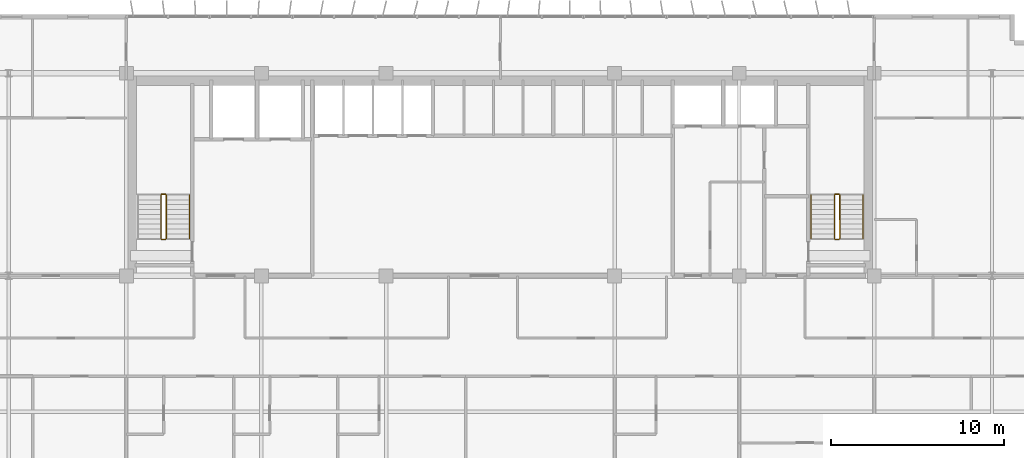
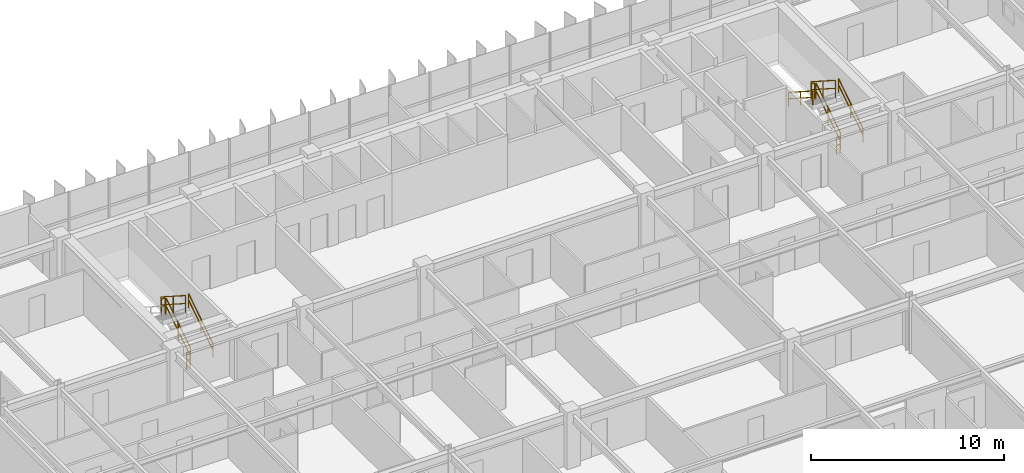
# One storey, part 21 of 22: 11 railings.
"""IFC4 building model written with IfcOpenShell, lengths in metres."""

from ifc_helpers import new_model, si_unit, direction, frame, origin, origin_2d, place, context, subcontext, project, spatial, rectangle, extrude, material, type_object, element, save


model = new_model("IFC4")

# Units and contexts
model_context = context("Model", 3, precision=1e-05, world=origin(), true_north=direction((0.0, 1.0)))
body_context = subcontext(model_context, "Body", "Model", "MODEL_VIEW")
ifc_project = project(units=[si_unit("LENGTHUNIT", "METRE"), si_unit("AREAUNIT", "SQUARE_METRE"), si_unit("VOLUMEUNIT", "CUBIC_METRE"), si_unit("PLANEANGLEUNIT", "RADIAN"), si_unit("MASSUNIT", "GRAM", prefix="KILO")], contexts=[model_context])

# Site, building, storey
site_placement = place(None, origin())
site = spatial("IfcSite", under=ifc_project, at=site_placement, CompositionType="ELEMENT")
building_placement = place(site_placement, origin())
building = spatial("IfcBuilding", under=site, at=building_placement, Name="Trelvane Seafront Commons", CompositionType="ELEMENT")
storey_placement = place(building_placement, frame((0.0, 0.0, 117.699951171875)))
storey = spatial("IfcBuildingStorey", under=building, at=storey_placement, Name="L30", CompositionType="ELEMENT", Elevation=117.699951171875)

# Railings
ifc_material = material(Name="Stainless steel balustrade", Category="steel")
railing_type_1 = type_object("IfcRailingType", Name="ARCH-SRL-GUARD", PredefinedType="GUARDRAIL", material=ifc_material)
railing_1_placement = place(storey_placement, frame((17.89990234375, 35.550048828125, 0.179931640625)))
element("IfcRailing", 1, at=railing_1_placement, inside=storey, type_object=railing_type_1, Name="L30 ST-1 stair guard 1", PredefinedType="GUARDRAIL", context=body_context, shape_type="SweptSolid", body=[
    extrude(rectangle(XDim=0.048095703125, YDim=0.048095703125, at=origin_2d()), frame((0.0, 0.0, 1.076171875), z_axis=(0.0, 0.841162588446, 0.540782303519), x_axis=(-1.0, 0.0, 0.0)), (0.0, 0.0, 1.0), 2.995849609375),
    extrude(rectangle(XDim=0.048095703125, YDim=0.048095703125, at=origin_2d()), frame((0.0, 0.0, 0.572021484375), z_axis=(0.0, 0.841162588446, 0.540782303519), x_axis=(-1.0, 0.0, 0.0)), (0.0, 0.0, 1.0), 2.995849609375),
    extrude(rectangle(XDim=0.0419921875, YDim=0.0419921875, at=origin_2d()), origin(), (0.0, 0.0, 1.0), 1.076171875),
    extrude(rectangle(XDim=0.0419921875, YDim=0.0419921875, at=origin_2d()), frame((0.0, 1.260009765625, 0.81005859375)), (0.0, 0.0, 1.0), 1.076171875),
    extrude(rectangle(XDim=0.0419921875, YDim=0.0419921875, at=origin_2d()), frame((0.0, 2.52001953125, 1.6201171875)), (0.0, 0.0, 1.0), 1.076171875),
])
railing_2_placement = place(storey_placement, frame((17.85009765625, 38.1201171875, 1.800048828125)))
element("IfcRailing", 2, at=railing_2_placement, inside=storey, type_object=railing_type_1, Name="L30 ST-1 stair guard 2", PredefinedType="GUARDRAIL", context=body_context, shape_type="SweptSolid", body=[
    extrude(rectangle(XDim=0.048095703125, YDim=0.048095703125, at=origin_2d()), frame((0.0, 0.0, 1.076171875), z_axis=(-1.0, 0.0, 0.0), x_axis=(0.0, -1.0, 0.0)), (0.0, 0.0, 1.0), 0.2001953125),
    extrude(rectangle(XDim=0.048095703125, YDim=0.048095703125, at=origin_2d()), frame((0.0, 0.0, 0.572021484375), z_axis=(-1.0, 0.0, 0.0), x_axis=(0.0, -1.0, 0.0)), (0.0, 0.0, 1.0), 0.2001953125),
    extrude(rectangle(XDim=0.0419921875, YDim=0.0419921875, at=origin_2d()), origin(), (0.0, 0.0, 1.0), 1.076171875),
    extrude(rectangle(XDim=0.0419921875, YDim=0.0419921875, at=origin_2d()), frame((-0.2001953125, 0.0, 0.0)), (0.0, 0.0, 1.0), 1.076171875),
])
railing_3_placement = place(storey_placement, frame((17.60009765625, 38.070068359375, 1.97998046875)))
element("IfcRailing", 3, at=railing_3_placement, inside=storey, type_object=railing_type_1, Name="L30 ST-1 stair guard 3", PredefinedType="GUARDRAIL", context=body_context, shape_type="SweptSolid", body=[
    extrude(rectangle(XDim=0.048095703125, YDim=0.048095703125, at=origin_2d()), frame((0.0, 0.0, 1.076171875), z_axis=(0.0, -0.841162588446, 0.540782303519), x_axis=(1.0, 0.0, 0.0)), (0.0, 0.0, 1.0), 2.995849609375),
    extrude(rectangle(XDim=0.048095703125, YDim=0.048095703125, at=origin_2d()), frame((0.0, 0.0, 0.572021484375), z_axis=(0.0, -0.841162588446, 0.540782303519), x_axis=(1.0, 0.0, 0.0)), (0.0, 0.0, 1.0), 2.995849609375),
    extrude(rectangle(XDim=0.0419921875, YDim=0.0419921875, at=origin_2d()), origin(), (0.0, 0.0, 1.0), 1.076171875),
    extrude(rectangle(XDim=0.0419921875, YDim=0.0419921875, at=origin_2d()), frame((0.0, -1.260009765625, 0.81005859375)), (0.0, 0.0, 1.0), 1.076171875),
    extrude(rectangle(XDim=0.0419921875, YDim=0.0419921875, at=origin_2d()), frame((0.0, -2.52001953125, 1.6201171875)), (0.0, 0.0, 1.0), 1.076171875),
])
railing_4_placement = place(storey_placement, frame((17.85009765625, 35.5, 0.0)))
element("IfcRailing", 4, at=railing_4_placement, inside=storey, type_object=railing_type_1, Name="L30 ST-1 stair guard 4", PredefinedType="GUARDRAIL", context=body_context, shape_type="SweptSolid", body=[
    extrude(rectangle(XDim=0.048095703125, YDim=0.048095703125, at=origin_2d()), frame((0.0, 0.0, 1.076171875), z_axis=(-1.0, 0.0, 0.0), x_axis=(0.0, -1.0, 0.0)), (0.0, 0.0, 1.0), 0.2001953125),
    extrude(rectangle(XDim=0.048095703125, YDim=0.048095703125, at=origin_2d()), frame((0.0, 0.0, 0.572021484375), z_axis=(-1.0, 0.0, 0.0), x_axis=(0.0, -1.0, 0.0)), (0.0, 0.0, 1.0), 0.2001953125),
    extrude(rectangle(XDim=0.0419921875, YDim=0.0419921875, at=origin_2d()), origin(), (0.0, 0.0, 1.0), 1.076171875),
    extrude(rectangle(XDim=0.0419921875, YDim=0.0419921875, at=origin_2d()), frame((-0.2001953125, 0.0, 0.0)), (0.0, 0.0, 1.0), 1.076171875),
])
railing_5_placement = place(storey_placement, frame((56.800048828125, 35.550048828125, 0.179931640625)))
element("IfcRailing", 5, at=railing_5_placement, inside=storey, type_object=railing_type_1, Name="L30 ST-2 stair guard 1", PredefinedType="GUARDRAIL", context=body_context, shape_type="SweptSolid", body=[
    extrude(rectangle(XDim=0.048095703125, YDim=0.048095703125, at=origin_2d()), frame((0.0, 0.0, 1.076171875), z_axis=(0.0, 0.841162588446, 0.540782303519), x_axis=(-1.0, 0.0, 0.0)), (0.0, 0.0, 1.0), 2.995849609375),
    extrude(rectangle(XDim=0.048095703125, YDim=0.048095703125, at=origin_2d()), frame((0.0, 0.0, 0.572021484375), z_axis=(0.0, 0.841162588446, 0.540782303519), x_axis=(-1.0, 0.0, 0.0)), (0.0, 0.0, 1.0), 2.995849609375),
    extrude(rectangle(XDim=0.0419921875, YDim=0.0419921875, at=origin_2d()), origin(), (0.0, 0.0, 1.0), 1.076171875),
    extrude(rectangle(XDim=0.0419921875, YDim=0.0419921875, at=origin_2d()), frame((0.0, 1.260009765625, 0.81005859375)), (0.0, 0.0, 1.0), 1.076171875),
    extrude(rectangle(XDim=0.0419921875, YDim=0.0419921875, at=origin_2d()), frame((0.0, 2.52001953125, 1.6201171875)), (0.0, 0.0, 1.0), 1.076171875),
])
railing_6_placement = place(storey_placement, frame((56.75, 38.1201171875, 1.800048828125)))
element("IfcRailing", 6, at=railing_6_placement, inside=storey, type_object=railing_type_1, Name="L30 ST-2 stair guard 2", PredefinedType="GUARDRAIL", context=body_context, shape_type="SweptSolid", body=[
    extrude(rectangle(XDim=0.048095703125, YDim=0.048095703125, at=origin_2d()), frame((0.0, 0.0, 1.076171875), z_axis=(-1.0, 0.0, 0.0), x_axis=(0.0, -1.0, 0.0)), (0.0, 0.0, 1.0), 0.199951171875),
    extrude(rectangle(XDim=0.048095703125, YDim=0.048095703125, at=origin_2d()), frame((0.0, 0.0, 0.572021484375), z_axis=(-1.0, 0.0, 0.0), x_axis=(0.0, -1.0, 0.0)), (0.0, 0.0, 1.0), 0.199951171875),
    extrude(rectangle(XDim=0.0419921875, YDim=0.0419921875, at=origin_2d()), origin(), (0.0, 0.0, 1.0), 1.076171875),
    extrude(rectangle(XDim=0.0419921875, YDim=0.0419921875, at=origin_2d()), frame((-0.199951171875, 0.0, 0.0)), (0.0, 0.0, 1.0), 1.076171875),
])
railing_7_placement = place(storey_placement, frame((56.5, 38.070068359375, 1.97998046875)))
element("IfcRailing", 7, at=railing_7_placement, inside=storey, type_object=railing_type_1, Name="L30 ST-2 stair guard 3", PredefinedType="GUARDRAIL", context=body_context, shape_type="SweptSolid", body=[
    extrude(rectangle(XDim=0.048095703125, YDim=0.048095703125, at=origin_2d()), frame((0.0, 0.0, 1.076171875), z_axis=(0.0, -0.841162588446, 0.540782303519), x_axis=(1.0, 0.0, 0.0)), (0.0, 0.0, 1.0), 2.995849609375),
    extrude(rectangle(XDim=0.048095703125, YDim=0.048095703125, at=origin_2d()), frame((0.0, 0.0, 0.572021484375), z_axis=(0.0, -0.841162588446, 0.540782303519), x_axis=(1.0, 0.0, 0.0)), (0.0, 0.0, 1.0), 2.995849609375),
    extrude(rectangle(XDim=0.0419921875, YDim=0.0419921875, at=origin_2d()), origin(), (0.0, 0.0, 1.0), 1.076171875),
    extrude(rectangle(XDim=0.0419921875, YDim=0.0419921875, at=origin_2d()), frame((0.0, -1.260009765625, 0.81005859375)), (0.0, 0.0, 1.0), 1.076171875),
    extrude(rectangle(XDim=0.0419921875, YDim=0.0419921875, at=origin_2d()), frame((0.0, -2.52001953125, 1.6201171875)), (0.0, 0.0, 1.0), 1.076171875),
])
railing_8_placement = place(storey_placement, frame((56.75, 35.5, 0.0)))
element("IfcRailing", 8, at=railing_8_placement, inside=storey, type_object=railing_type_1, Name="L30 ST-2 stair guard 4", PredefinedType="GUARDRAIL", context=body_context, shape_type="SweptSolid", body=[
    extrude(rectangle(XDim=0.048095703125, YDim=0.048095703125, at=origin_2d()), frame((0.0, 0.0, 1.076171875), z_axis=(-1.0, 0.0, 0.0), x_axis=(0.0, -1.0, 0.0)), (0.0, 0.0, 1.0), 0.199951171875),
    extrude(rectangle(XDim=0.048095703125, YDim=0.048095703125, at=origin_2d()), frame((0.0, 0.0, 0.572021484375), z_axis=(-1.0, 0.0, 0.0), x_axis=(0.0, -1.0, 0.0)), (0.0, 0.0, 1.0), 0.199951171875),
    extrude(rectangle(XDim=0.0419921875, YDim=0.0419921875, at=origin_2d()), origin(), (0.0, 0.0, 1.0), 1.076171875),
    extrude(rectangle(XDim=0.0419921875, YDim=0.0419921875, at=origin_2d()), frame((-0.199951171875, 0.0, 0.0)), (0.0, 0.0, 1.0), 1.076171875),
])
railing_type_2 = type_object("IfcRailingType", Name="ARCH-SRL-HAND", PredefinedType="HANDRAIL", material=ifc_material)
for number, where, name in (
    (9, (19.25, 35.550048828125, 0.179931640625), "L30 ST-1 stair handrail 1"),
    (10, (58.14990234375, 35.550048828125, 0.179931640625), "L30 ST-2 stair handrail 1"),
):
    element("IfcRailing", number, at=place(storey_placement, frame(where)), inside=storey, type_object=railing_type_2, Name=name, PredefinedType="HANDRAIL", context=body_context, shape_type="SweptSolid", body=[
        extrude(rectangle(XDim=0.048095703125, YDim=0.048095703125, at=origin_2d()), frame((0.0, 0.0, 0.8759765625), z_axis=(0.0, 0.841162588446, 0.540782303519), x_axis=(-1.0, 0.0, 0.0)), (0.0, 0.0, 1.0), 2.995849609375),
        extrude(rectangle(XDim=0.048095703125, YDim=0.048095703125, at=origin_2d()), frame((0.0, 0.0, 0.468017578125), z_axis=(0.0, 0.841162588446, 0.540782303519), x_axis=(-1.0, 0.0, 0.0)), (0.0, 0.0, 1.0), 2.995849609375),
        extrude(rectangle(XDim=0.0419921875, YDim=0.0419921875, at=origin_2d()), origin(), (0.0, 0.0, 1.0), 0.8759765625),
        extrude(rectangle(XDim=0.0419921875, YDim=0.0419921875, at=origin_2d()), frame((0.0, 1.260009765625, 0.81005859375)), (0.0, 0.0, 1.0), 0.8759765625),
        extrude(rectangle(XDim=0.0419921875, YDim=0.0419921875, at=origin_2d()), frame((0.0, 2.52001953125, 1.6201171875)), (0.0, 0.0, 1.0), 0.8759765625),
    ])
railing_9_placement = place(storey_placement, frame((55.14990234375, 38.070068359375, 1.97998046875)))
element("IfcRailing", 11, at=railing_9_placement, inside=storey, type_object=railing_type_2, Name="L30 ST-2 stair handrail 2", PredefinedType="HANDRAIL", context=body_context, shape_type="SweptSolid", body=[
    extrude(rectangle(XDim=0.048095703125, YDim=0.048095703125, at=origin_2d()), frame((0.0, 0.0, 0.8759765625), z_axis=(0.0, -0.841162588446, 0.540782303519), x_axis=(1.0, 0.0, 0.0)), (0.0, 0.0, 1.0), 2.995849609375),
    extrude(rectangle(XDim=0.048095703125, YDim=0.048095703125, at=origin_2d()), frame((0.0, 0.0, 0.468017578125), z_axis=(0.0, -0.841162588446, 0.540782303519), x_axis=(1.0, 0.0, 0.0)), (0.0, 0.0, 1.0), 2.995849609375),
    extrude(rectangle(XDim=0.0419921875, YDim=0.0419921875, at=origin_2d()), origin(), (0.0, 0.0, 1.0), 0.8759765625),
    extrude(rectangle(XDim=0.0419921875, YDim=0.0419921875, at=origin_2d()), frame((0.0, -1.260009765625, 0.81005859375)), (0.0, 0.0, 1.0), 0.8759765625),
    extrude(rectangle(XDim=0.0419921875, YDim=0.0419921875, at=origin_2d()), frame((0.0, -2.52001953125, 1.6201171875)), (0.0, 0.0, 1.0), 0.8759765625),
])

save(model, "model.ifc")
